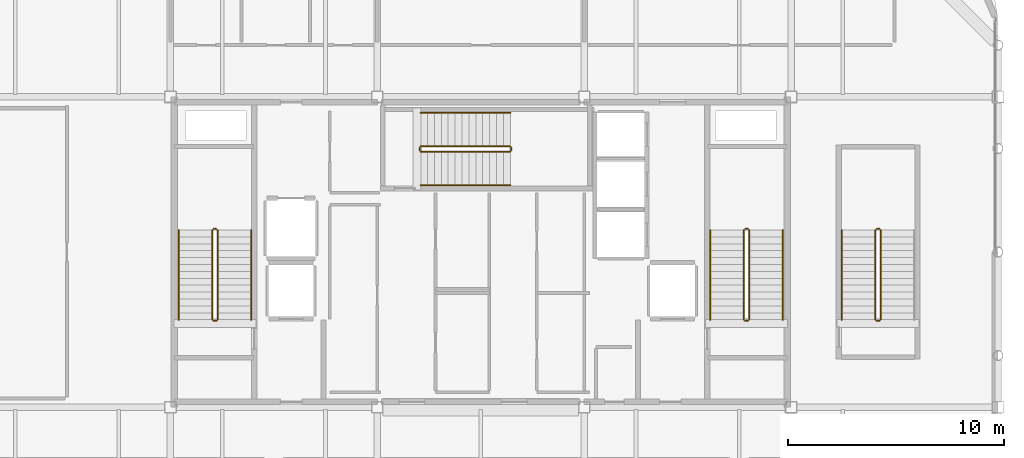
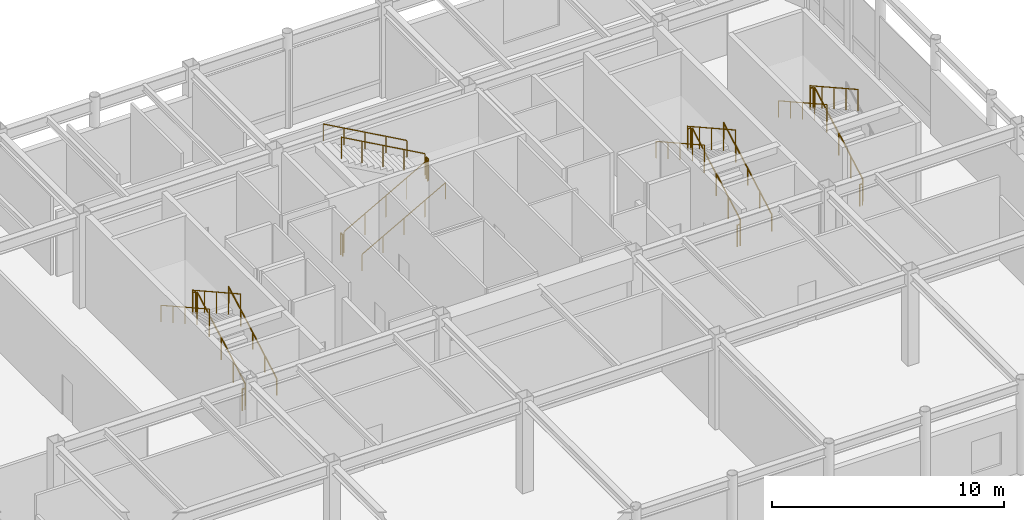
# One storey, part 20 of 21: 23 railings.
"""IFC4 building model written with IfcOpenShell, lengths in metres."""

from ifc_helpers import new_model, si_unit, direction, frame, origin, origin_2d, place, context, subcontext, project, spatial, circle, extrude, material, layer, layer_set, type_object, element, save


model = new_model("IFC4")

# Units and contexts
model_context = context("Model", 3, precision=1e-05, world=origin(), true_north=direction((0.0, 1.0)))
body_context = subcontext(model_context, "Body", "Model", "MODEL_VIEW")
ifc_project = project(units=[si_unit("LENGTHUNIT", "METRE"), si_unit("AREAUNIT", "SQUARE_METRE"), si_unit("VOLUMEUNIT", "CUBIC_METRE"), si_unit("PLANEANGLEUNIT", "RADIAN"), si_unit("MASSUNIT", "GRAM", prefix="KILO")], contexts=[model_context])

# Site, building, storey
site_placement = place(None, origin())
site = spatial("IfcSite", under=ifc_project, at=site_placement, CompositionType="ELEMENT")
building_placement = place(site_placement, origin())
building = spatial("IfcBuilding", under=site, at=building_placement, Name="Kallvorn Hotel Tower", CompositionType="ELEMENT")
storey_placement = place(building_placement, frame((0.0, 0.0, 295.60009765625)))
storey = spatial("IfcBuildingStorey", under=building, at=storey_placement, Name="L73", CompositionType="ELEMENT", Elevation=295.60009765625)

# Railings
ifc_material_1 = material(Name="Brushed stainless-steel tubular railing", Category="steel")
ifc_layer_1 = layer(ifc_material_1, 0.050048828125)
ifc_layer_set_1 = layer_set([ifc_layer_1], Name="RL_STAIR_GUARD")
railing_type_1 = type_object("IfcRailingType", Name="RL_STAIR_GUARD", PredefinedType="GUARDRAIL", material=ifc_layer_set_1)
railing_1_placement = place(storey_placement, frame((-12.2099609375, -3.139892578125, 0.178466796875)))
element("IfcRailing", 1, at=railing_1_placement, inside=storey, type_object=railing_type_1, Name="L73 ST1 stair guard 1", PredefinedType="GUARDRAIL", context=body_context, shape_type="SweptSolid", body=[
    extrude(circle(Radius=0.02392578125, at=origin_2d()), frame((0.0, 0.0, 1.1259765625), z_axis=(0.0, 0.873222553742, 0.487321630585), x_axis=(-1.0, 0.0, 0.0)), (0.0, 0.0, 1.0), 4.763916015625),
    extrude(circle(Radius=0.02099609375, at=origin_2d()), origin(), (0.0, 0.0, 1.0), 1.101806640625),
    extrude(circle(Radius=0.02099609375, at=origin_2d()), frame((0.0, 1.0400390625, 0.580322265625)), (0.0, 0.0, 1.0), 1.101806640625),
    extrude(circle(Radius=0.02099609375, at=origin_2d()), frame((0.0, 2.080078125, 1.16064453125)), (0.0, 0.0, 1.0), 1.101806640625),
    extrude(circle(Radius=0.02099609375, at=origin_2d()), frame((0.0, 3.119873046875, 1.7412109375)), (0.0, 0.0, 1.0), 1.101806640625),
    extrude(circle(Radius=0.02099609375, at=origin_2d()), frame((0.0, 4.159912109375, 2.321533203125)), (0.0, 0.0, 1.0), 1.101806640625),
])
railing_2_placement = place(storey_placement, frame((-12.260009765625, 1.070068359375, 2.5)))
element("IfcRailing", 2, at=railing_2_placement, inside=storey, type_object=railing_type_1, Name="L73 ST1 stair guard 2", PredefinedType="GUARDRAIL", context=body_context, shape_type="SweptSolid", body=[
    extrude(circle(Radius=0.02392578125, at=origin_2d()), frame((0.0, 0.0, 1.1259765625), z_axis=(-1.0, 0.0, 0.0), x_axis=(0.0, -1.0, 0.0)), (0.0, 0.0, 1.0), 0.139892578125),
    extrude(circle(Radius=0.02099609375, at=origin_2d()), origin(), (0.0, 0.0, 1.0), 1.101806640625),
    extrude(circle(Radius=0.02099609375, at=origin_2d()), frame((-0.139892578125, 0.0, 0.0)), (0.0, 0.0, 1.0), 1.101806640625),
])
railing_3_placement = place(storey_placement, frame((-12.449951171875, 1.02001953125, 2.678466796875)))
element("IfcRailing", 3, at=railing_3_placement, inside=storey, type_object=railing_type_1, Name="L73 ST1 stair guard 3", PredefinedType="GUARDRAIL", context=body_context, shape_type="SweptSolid", body=[
    extrude(circle(Radius=0.02392578125, at=origin_2d()), frame((0.0, 0.0, 1.1259765625), z_axis=(0.0, -0.873222553742, 0.487321630585), x_axis=(1.0, 0.0, 0.0)), (0.0, 0.0, 1.0), 4.763916015625),
    extrude(circle(Radius=0.02099609375, at=origin_2d()), origin(), (0.0, 0.0, 1.0), 1.101806640625),
    extrude(circle(Radius=0.02099609375, at=origin_2d()), frame((0.0, -1.0400390625, 0.580322265625)), (0.0, 0.0, 1.0), 1.101806640625),
    extrude(circle(Radius=0.02099609375, at=origin_2d()), frame((0.0, -2.080078125, 1.16064453125)), (0.0, 0.0, 1.0), 1.101806640625),
    extrude(circle(Radius=0.02099609375, at=origin_2d()), frame((0.0, -3.119873046875, 1.7412109375)), (0.0, 0.0, 1.0), 1.101806640625),
    extrude(circle(Radius=0.02099609375, at=origin_2d()), frame((0.0, -4.159912109375, 2.321533203125)), (0.0, 0.0, 1.0), 1.101806640625),
])
railing_4_placement = place(storey_placement, frame((-12.260009765625, -3.18994140625, 0.0)))
element("IfcRailing", 4, at=railing_4_placement, inside=storey, type_object=railing_type_1, Name="L73 ST1 stair guard 4", PredefinedType="GUARDRAIL", context=body_context, shape_type="SweptSolid", body=[
    extrude(circle(Radius=0.02392578125, at=origin_2d()), frame((0.0, 0.0, 1.1259765625), z_axis=(-1.0, 0.0, 0.0), x_axis=(0.0, -1.0, 0.0)), (0.0, 0.0, 1.0), 0.139892578125),
    extrude(circle(Radius=0.02099609375, at=origin_2d()), origin(), (0.0, 0.0, 1.0), 1.101806640625),
    extrude(circle(Radius=0.02099609375, at=origin_2d()), frame((-0.139892578125, 0.0, 0.0)), (0.0, 0.0, 1.0), 1.101806640625),
])
railing_5_placement = place(storey_placement, frame((12.449951171875, -3.139892578125, 0.178466796875)))
element("IfcRailing", 5, at=railing_5_placement, inside=storey, type_object=railing_type_1, Name="L73 ST2 stair guard 1", PredefinedType="GUARDRAIL", context=body_context, shape_type="SweptSolid", body=[
    extrude(circle(Radius=0.02392578125, at=origin_2d()), frame((0.0, 0.0, 1.1259765625), z_axis=(0.0, 0.873222553742, 0.487321630585), x_axis=(-1.0, 0.0, 0.0)), (0.0, 0.0, 1.0), 4.763916015625),
    extrude(circle(Radius=0.02099609375, at=origin_2d()), origin(), (0.0, 0.0, 1.0), 1.101806640625),
    extrude(circle(Radius=0.02099609375, at=origin_2d()), frame((0.0, 1.0400390625, 0.580322265625)), (0.0, 0.0, 1.0), 1.101806640625),
    extrude(circle(Radius=0.02099609375, at=origin_2d()), frame((0.0, 2.080078125, 1.16064453125)), (0.0, 0.0, 1.0), 1.101806640625),
    extrude(circle(Radius=0.02099609375, at=origin_2d()), frame((0.0, 3.119873046875, 1.7412109375)), (0.0, 0.0, 1.0), 1.101806640625),
    extrude(circle(Radius=0.02099609375, at=origin_2d()), frame((0.0, 4.159912109375, 2.321533203125)), (0.0, 0.0, 1.0), 1.101806640625),
])
railing_6_placement = place(storey_placement, frame((12.39990234375, 1.070068359375, 2.5)))
element("IfcRailing", 6, at=railing_6_placement, inside=storey, type_object=railing_type_1, Name="L73 ST2 stair guard 2", PredefinedType="GUARDRAIL", context=body_context, shape_type="SweptSolid", body=[
    extrude(circle(Radius=0.02392578125, at=origin_2d()), frame((0.0, 0.0, 1.1259765625), z_axis=(-1.0, 0.0, 0.0), x_axis=(0.0, -1.0, 0.0)), (0.0, 0.0, 1.0), 0.139892578125),
    extrude(circle(Radius=0.02099609375, at=origin_2d()), origin(), (0.0, 0.0, 1.0), 1.101806640625),
    extrude(circle(Radius=0.02099609375, at=origin_2d()), frame((-0.139892578125, 0.0, 0.0)), (0.0, 0.0, 1.0), 1.101806640625),
])
railing_7_placement = place(storey_placement, frame((12.2099609375, 1.02001953125, 2.678466796875)))
element("IfcRailing", 7, at=railing_7_placement, inside=storey, type_object=railing_type_1, Name="L73 ST2 stair guard 3", PredefinedType="GUARDRAIL", context=body_context, shape_type="SweptSolid", body=[
    extrude(circle(Radius=0.02392578125, at=origin_2d()), frame((0.0, 0.0, 1.1259765625), z_axis=(0.0, -0.873222553742, 0.487321630585), x_axis=(1.0, 0.0, 0.0)), (0.0, 0.0, 1.0), 4.763916015625),
    extrude(circle(Radius=0.02099609375, at=origin_2d()), origin(), (0.0, 0.0, 1.0), 1.101806640625),
    extrude(circle(Radius=0.02099609375, at=origin_2d()), frame((0.0, -1.0400390625, 0.580322265625)), (0.0, 0.0, 1.0), 1.101806640625),
    extrude(circle(Radius=0.02099609375, at=origin_2d()), frame((0.0, -2.080078125, 1.16064453125)), (0.0, 0.0, 1.0), 1.101806640625),
    extrude(circle(Radius=0.02099609375, at=origin_2d()), frame((0.0, -3.119873046875, 1.7412109375)), (0.0, 0.0, 1.0), 1.101806640625),
    extrude(circle(Radius=0.02099609375, at=origin_2d()), frame((0.0, -4.159912109375, 2.321533203125)), (0.0, 0.0, 1.0), 1.101806640625),
])
railing_8_placement = place(storey_placement, frame((12.39990234375, -3.18994140625, 0.0)))
element("IfcRailing", 8, at=railing_8_placement, inside=storey, type_object=railing_type_1, Name="L73 ST2 stair guard 4", PredefinedType="GUARDRAIL", context=body_context, shape_type="SweptSolid", body=[
    extrude(circle(Radius=0.02392578125, at=origin_2d()), frame((0.0, 0.0, 1.1259765625), z_axis=(-1.0, 0.0, 0.0), x_axis=(0.0, -1.0, 0.0)), (0.0, 0.0, 1.0), 0.139892578125),
    extrude(circle(Radius=0.02099609375, at=origin_2d()), origin(), (0.0, 0.0, 1.0), 1.101806640625),
    extrude(circle(Radius=0.02099609375, at=origin_2d()), frame((-0.139892578125, 0.0, 0.0)), (0.0, 0.0, 1.0), 1.101806640625),
])
railing_9_placement = place(storey_placement, frame((-2.7900390625, 4.659912109375, 0.178466796875)))
element("IfcRailing", 9, at=railing_9_placement, inside=storey, type_object=railing_type_1, Name="L73 ST3 stair guard 1", PredefinedType="GUARDRAIL", context=body_context, shape_type="SweptSolid", body=[
    extrude(circle(Radius=0.02392578125, at=origin_2d()), frame((0.0, 0.0, 1.1259765625), z_axis=(0.873234723532, 0.0, 0.487299823126), x_axis=(0.0, 1.0, 0.0)), (0.0, 0.0, 1.0), 4.76416015625),
    extrude(circle(Radius=0.02099609375, at=origin_2d()), origin(), (0.0, 0.0, 1.0), 1.101806640625),
    extrude(circle(Radius=0.02099609375, at=origin_2d()), frame((1.0400390625, 0.0, 0.580322265625)), (0.0, 0.0, 1.0), 1.101806640625),
    extrude(circle(Radius=0.02099609375, at=origin_2d()), frame((2.080078125, 0.0, 1.16064453125)), (0.0, 0.0, 1.0), 1.101806640625),
    extrude(circle(Radius=0.02099609375, at=origin_2d()), frame((3.1201171875, 0.0, 1.7412109375)), (0.0, 0.0, 1.0), 1.101806640625),
    extrude(circle(Radius=0.02099609375, at=origin_2d()), frame((4.16015625, 0.0, 2.321533203125)), (0.0, 0.0, 1.0), 1.101806640625),
])
railing_10_placement = place(storey_placement, frame((1.419921875, 4.7099609375, 2.5)))
element("IfcRailing", 10, at=railing_10_placement, inside=storey, type_object=railing_type_1, Name="L73 ST3 stair guard 2", PredefinedType="GUARDRAIL", context=body_context, shape_type="SweptSolid", body=[
    extrude(circle(Radius=0.02392578125, at=origin_2d()), frame((0.0, 0.0, 1.1259765625), z_axis=(0.0, 1.0, 0.0), x_axis=(-1.0, 0.0, 0.0)), (0.0, 0.0, 1.0), 0.14013671875),
    extrude(circle(Radius=0.02099609375, at=origin_2d()), origin(), (0.0, 0.0, 1.0), 1.101806640625),
    extrude(circle(Radius=0.02099609375, at=origin_2d()), frame((0.0, 0.14013671875, 0.0)), (0.0, 0.0, 1.0), 1.101806640625),
])
railing_11_placement = place(storey_placement, frame((1.3701171875, 4.89990234375, 2.678466796875)))
element("IfcRailing", 11, at=railing_11_placement, inside=storey, type_object=railing_type_1, Name="L73 ST3 stair guard 3", PredefinedType="GUARDRAIL", context=body_context, shape_type="SweptSolid", body=[
    extrude(circle(Radius=0.02392578125, at=origin_2d()), frame((0.0, 0.0, 1.1259765625), z_axis=(-0.873234723532, 0.0, 0.487299823126), x_axis=(0.0, -1.0, 0.0)), (0.0, 0.0, 1.0), 4.76416015625),
    extrude(circle(Radius=0.02099609375, at=origin_2d()), origin(), (0.0, 0.0, 1.0), 1.101806640625),
    extrude(circle(Radius=0.02099609375, at=origin_2d()), frame((-1.0400390625, 0.0, 0.580322265625)), (0.0, 0.0, 1.0), 1.101806640625),
    extrude(circle(Radius=0.02099609375, at=origin_2d()), frame((-2.080078125, 0.0, 1.16064453125)), (0.0, 0.0, 1.0), 1.101806640625),
    extrude(circle(Radius=0.02099609375, at=origin_2d()), frame((-3.1201171875, 0.0, 1.7412109375)), (0.0, 0.0, 1.0), 1.101806640625),
    extrude(circle(Radius=0.02099609375, at=origin_2d()), frame((-4.16015625, 0.0, 2.321533203125)), (0.0, 0.0, 1.0), 1.101806640625),
])
railing_12_placement = place(storey_placement, frame((-2.840087890625, 4.7099609375, 0.0)))
element("IfcRailing", 12, at=railing_12_placement, inside=storey, type_object=railing_type_1, Name="L73 ST3 stair guard 4", PredefinedType="GUARDRAIL", context=body_context, shape_type="SweptSolid", body=[
    extrude(circle(Radius=0.02392578125, at=origin_2d()), frame((0.0, 0.0, 1.1259765625), z_axis=(0.0, 1.0, 0.0), x_axis=(-1.0, 0.0, 0.0)), (0.0, 0.0, 1.0), 0.14013671875),
    extrude(circle(Radius=0.02099609375, at=origin_2d()), origin(), (0.0, 0.0, 1.0), 1.101806640625),
    extrude(circle(Radius=0.02099609375, at=origin_2d()), frame((0.0, 0.14013671875, 0.0)), (0.0, 0.0, 1.0), 1.101806640625),
])
railing_13_placement = place(storey_placement, frame((18.550048828125, -3.139892578125, 0.178466796875)))
element("IfcRailing", 13, at=railing_13_placement, inside=storey, type_object=railing_type_1, Name="L73 ST4 stair guard 1", PredefinedType="GUARDRAIL", context=body_context, shape_type="SweptSolid", body=[
    extrude(circle(Radius=0.02392578125, at=origin_2d()), frame((0.0, 0.0, 1.1259765625), z_axis=(0.0, 0.873222553742, 0.487321630585), x_axis=(-1.0, 0.0, 0.0)), (0.0, 0.0, 1.0), 4.763916015625),
    extrude(circle(Radius=0.02099609375, at=origin_2d()), origin(), (0.0, 0.0, 1.0), 1.101806640625),
    extrude(circle(Radius=0.02099609375, at=origin_2d()), frame((0.0, 1.0400390625, 0.580322265625)), (0.0, 0.0, 1.0), 1.101806640625),
    extrude(circle(Radius=0.02099609375, at=origin_2d()), frame((0.0, 2.080078125, 1.16064453125)), (0.0, 0.0, 1.0), 1.101806640625),
    extrude(circle(Radius=0.02099609375, at=origin_2d()), frame((0.0, 3.119873046875, 1.7412109375)), (0.0, 0.0, 1.0), 1.101806640625),
    extrude(circle(Radius=0.02099609375, at=origin_2d()), frame((0.0, 4.159912109375, 2.321533203125)), (0.0, 0.0, 1.0), 1.101806640625),
])
railing_14_placement = place(storey_placement, frame((18.5, 1.070068359375, 2.5)))
element("IfcRailing", 14, at=railing_14_placement, inside=storey, type_object=railing_type_1, Name="L73 ST4 stair guard 2", PredefinedType="GUARDRAIL", context=body_context, shape_type="SweptSolid", body=[
    extrude(circle(Radius=0.02392578125, at=origin_2d()), frame((0.0, 0.0, 1.1259765625), z_axis=(-1.0, 0.0, 0.0), x_axis=(0.0, -1.0, 0.0)), (0.0, 0.0, 1.0), 0.139892578125),
    extrude(circle(Radius=0.02099609375, at=origin_2d()), origin(), (0.0, 0.0, 1.0), 1.101806640625),
    extrude(circle(Radius=0.02099609375, at=origin_2d()), frame((-0.139892578125, 0.0, 0.0)), (0.0, 0.0, 1.0), 1.101806640625),
])
railing_15_placement = place(storey_placement, frame((18.31005859375, 1.02001953125, 2.678466796875)))
element("IfcRailing", 15, at=railing_15_placement, inside=storey, type_object=railing_type_1, Name="L73 ST4 stair guard 3", PredefinedType="GUARDRAIL", context=body_context, shape_type="SweptSolid", body=[
    extrude(circle(Radius=0.02392578125, at=origin_2d()), frame((0.0, 0.0, 1.1259765625), z_axis=(0.0, -0.873222553742, 0.487321630585), x_axis=(1.0, 0.0, 0.0)), (0.0, 0.0, 1.0), 4.763916015625),
    extrude(circle(Radius=0.02099609375, at=origin_2d()), origin(), (0.0, 0.0, 1.0), 1.101806640625),
    extrude(circle(Radius=0.02099609375, at=origin_2d()), frame((0.0, -1.0400390625, 0.580322265625)), (0.0, 0.0, 1.0), 1.101806640625),
    extrude(circle(Radius=0.02099609375, at=origin_2d()), frame((0.0, -2.080078125, 1.16064453125)), (0.0, 0.0, 1.0), 1.101806640625),
    extrude(circle(Radius=0.02099609375, at=origin_2d()), frame((0.0, -3.119873046875, 1.7412109375)), (0.0, 0.0, 1.0), 1.101806640625),
    extrude(circle(Radius=0.02099609375, at=origin_2d()), frame((0.0, -4.159912109375, 2.321533203125)), (0.0, 0.0, 1.0), 1.101806640625),
])
railing_16_placement = place(storey_placement, frame((18.5, -3.18994140625, 0.0)))
element("IfcRailing", 16, at=railing_16_placement, inside=storey, type_object=railing_type_1, Name="L73 ST4 stair guard 4", PredefinedType="GUARDRAIL", context=body_context, shape_type="SweptSolid", body=[
    extrude(circle(Radius=0.02392578125, at=origin_2d()), frame((0.0, 0.0, 1.1259765625), z_axis=(-1.0, 0.0, 0.0), x_axis=(0.0, -1.0, 0.0)), (0.0, 0.0, 1.0), 0.139892578125),
    extrude(circle(Radius=0.02099609375, at=origin_2d()), origin(), (0.0, 0.0, 1.0), 1.101806640625),
    extrude(circle(Radius=0.02099609375, at=origin_2d()), frame((-0.139892578125, 0.0, 0.0)), (0.0, 0.0, 1.0), 1.101806640625),
])
ifc_material_2 = material(Name="Brushed stainless-steel tubular railing", Category="steel")
ifc_layer_2 = layer(ifc_material_2, 0.050048828125)
ifc_layer_set_2 = layer_set([ifc_layer_2], Name="RL_STAIR_HAND")
railing_type_2 = type_object("IfcRailingType", Name="RL_STAIR_HAND", PredefinedType="HANDRAIL", material=ifc_layer_set_2)
railing_17_placement = place(storey_placement, frame((-10.64990234375, -3.139892578125, 0.178466796875)))
element("IfcRailing", 17, at=railing_17_placement, inside=storey, type_object=railing_type_2, Name="L73 ST1 stair handrail 1", PredefinedType="HANDRAIL", context=body_context, shape_type="SweptSolid", body=[
    extrude(circle(Radius=0.02392578125, at=origin_2d()), frame((0.0, 0.0, 0.8759765625), z_axis=(0.0, 0.873222553742, 0.487321630585), x_axis=(-1.0, 0.0, 0.0)), (0.0, 0.0, 1.0), 4.763916015625),
    extrude(circle(Radius=0.02099609375, at=origin_2d()), origin(), (0.0, 0.0, 1.0), 0.851806640625),
    extrude(circle(Radius=0.02099609375, at=origin_2d()), frame((0.0, 1.0400390625, 0.580322265625)), (0.0, 0.0, 1.0), 0.851806640625),
    extrude(circle(Radius=0.02099609375, at=origin_2d()), frame((0.0, 2.080078125, 1.16064453125)), (0.0, 0.0, 1.0), 0.851806640625),
    extrude(circle(Radius=0.02099609375, at=origin_2d()), frame((0.0, 3.119873046875, 1.7412109375)), (0.0, 0.0, 1.0), 0.851806640625),
    extrude(circle(Radius=0.02099609375, at=origin_2d()), frame((0.0, 4.159912109375, 2.321533203125)), (0.0, 0.0, 1.0), 0.851806640625),
])
railing_18_placement = place(storey_placement, frame((-14.010009765625, 1.02001953125, 2.678466796875)))
element("IfcRailing", 18, at=railing_18_placement, inside=storey, type_object=railing_type_2, Name="L73 ST1 stair handrail 2", PredefinedType="HANDRAIL", context=body_context, shape_type="SweptSolid", body=[
    extrude(circle(Radius=0.02392578125, at=origin_2d()), frame((0.0, 0.0, 0.8759765625), z_axis=(0.0, -0.873222553742, 0.487321630585), x_axis=(1.0, 0.0, 0.0)), (0.0, 0.0, 1.0), 4.763916015625),
    extrude(circle(Radius=0.02099609375, at=origin_2d()), origin(), (0.0, 0.0, 1.0), 0.851806640625),
    extrude(circle(Radius=0.02099609375, at=origin_2d()), frame((0.0, -1.0400390625, 0.580322265625)), (0.0, 0.0, 1.0), 0.851806640625),
    extrude(circle(Radius=0.02099609375, at=origin_2d()), frame((0.0, -2.080078125, 1.16064453125)), (0.0, 0.0, 1.0), 0.851806640625),
    extrude(circle(Radius=0.02099609375, at=origin_2d()), frame((0.0, -3.119873046875, 1.7412109375)), (0.0, 0.0, 1.0), 0.851806640625),
    extrude(circle(Radius=0.02099609375, at=origin_2d()), frame((0.0, -4.159912109375, 2.321533203125)), (0.0, 0.0, 1.0), 0.851806640625),
])
railing_19_placement = place(storey_placement, frame((14.010009765625, -3.139892578125, 0.178466796875)))
element("IfcRailing", 19, at=railing_19_placement, inside=storey, type_object=railing_type_2, Name="L73 ST2 stair handrail 1", PredefinedType="HANDRAIL", context=body_context, shape_type="SweptSolid", body=[
    extrude(circle(Radius=0.02392578125, at=origin_2d()), frame((0.0, 0.0, 0.8759765625), z_axis=(0.0, 0.873222553742, 0.487321630585), x_axis=(-1.0, 0.0, 0.0)), (0.0, 0.0, 1.0), 4.763916015625),
    extrude(circle(Radius=0.02099609375, at=origin_2d()), origin(), (0.0, 0.0, 1.0), 0.851806640625),
    extrude(circle(Radius=0.02099609375, at=origin_2d()), frame((0.0, 1.0400390625, 0.580322265625)), (0.0, 0.0, 1.0), 0.851806640625),
    extrude(circle(Radius=0.02099609375, at=origin_2d()), frame((0.0, 2.080078125, 1.16064453125)), (0.0, 0.0, 1.0), 0.851806640625),
    extrude(circle(Radius=0.02099609375, at=origin_2d()), frame((0.0, 3.119873046875, 1.7412109375)), (0.0, 0.0, 1.0), 0.851806640625),
    extrude(circle(Radius=0.02099609375, at=origin_2d()), frame((0.0, 4.159912109375, 2.321533203125)), (0.0, 0.0, 1.0), 0.851806640625),
])
railing_20_placement = place(storey_placement, frame((10.64990234375, 1.02001953125, 2.678466796875)))
element("IfcRailing", 20, at=railing_20_placement, inside=storey, type_object=railing_type_2, Name="L73 ST2 stair handrail 2", PredefinedType="HANDRAIL", context=body_context, shape_type="SweptSolid", body=[
    extrude(circle(Radius=0.02392578125, at=origin_2d()), frame((0.0, 0.0, 0.8759765625), z_axis=(0.0, -0.873222553742, 0.487321630585), x_axis=(1.0, 0.0, 0.0)), (0.0, 0.0, 1.0), 4.763916015625),
    extrude(circle(Radius=0.02099609375, at=origin_2d()), origin(), (0.0, 0.0, 1.0), 0.851806640625),
    extrude(circle(Radius=0.02099609375, at=origin_2d()), frame((0.0, -1.0400390625, 0.580322265625)), (0.0, 0.0, 1.0), 0.851806640625),
    extrude(circle(Radius=0.02099609375, at=origin_2d()), frame((0.0, -2.080078125, 1.16064453125)), (0.0, 0.0, 1.0), 0.851806640625),
    extrude(circle(Radius=0.02099609375, at=origin_2d()), frame((0.0, -3.119873046875, 1.7412109375)), (0.0, 0.0, 1.0), 0.851806640625),
    extrude(circle(Radius=0.02099609375, at=origin_2d()), frame((0.0, -4.159912109375, 2.321533203125)), (0.0, 0.0, 1.0), 0.851806640625),
])
railing_21_placement = place(storey_placement, frame((-2.7900390625, 3.10009765625, 0.178466796875)))
element("IfcRailing", 21, at=railing_21_placement, inside=storey, type_object=railing_type_2, Name="L73 ST3 stair handrail 1", PredefinedType="HANDRAIL", context=body_context, shape_type="SweptSolid", body=[
    extrude(circle(Radius=0.02392578125, at=origin_2d()), frame((0.0, 0.0, 0.8759765625), z_axis=(0.873234723532, 0.0, 0.487299823126), x_axis=(0.0, 1.0, 0.0)), (0.0, 0.0, 1.0), 4.76416015625),
    extrude(circle(Radius=0.02099609375, at=origin_2d()), origin(), (0.0, 0.0, 1.0), 0.851806640625),
    extrude(circle(Radius=0.02099609375, at=origin_2d()), frame((1.0400390625, 0.0, 0.580322265625)), (0.0, 0.0, 1.0), 0.851806640625),
    extrude(circle(Radius=0.02099609375, at=origin_2d()), frame((2.080078125, 0.0, 1.16064453125)), (0.0, 0.0, 1.0), 0.851806640625),
    extrude(circle(Radius=0.02099609375, at=origin_2d()), frame((3.1201171875, 0.0, 1.7412109375)), (0.0, 0.0, 1.0), 0.851806640625),
    extrude(circle(Radius=0.02099609375, at=origin_2d()), frame((4.16015625, 0.0, 2.321533203125)), (0.0, 0.0, 1.0), 0.851806640625),
])
railing_22_placement = place(storey_placement, frame((1.3701171875, 6.4599609375, 2.678466796875)))
element("IfcRailing", 22, at=railing_22_placement, inside=storey, type_object=railing_type_2, Name="L73 ST3 stair handrail 2", PredefinedType="HANDRAIL", context=body_context, shape_type="SweptSolid", body=[
    extrude(circle(Radius=0.02392578125, at=origin_2d()), frame((0.0, 0.0, 0.8759765625), z_axis=(-0.873234723532, 0.0, 0.487299823126), x_axis=(0.0, -1.0, 0.0)), (0.0, 0.0, 1.0), 4.76416015625),
    extrude(circle(Radius=0.02099609375, at=origin_2d()), origin(), (0.0, 0.0, 1.0), 0.851806640625),
    extrude(circle(Radius=0.02099609375, at=origin_2d()), frame((-1.0400390625, 0.0, 0.580322265625)), (0.0, 0.0, 1.0), 0.851806640625),
    extrude(circle(Radius=0.02099609375, at=origin_2d()), frame((-2.080078125, 0.0, 1.16064453125)), (0.0, 0.0, 1.0), 0.851806640625),
    extrude(circle(Radius=0.02099609375, at=origin_2d()), frame((-3.1201171875, 0.0, 1.7412109375)), (0.0, 0.0, 1.0), 0.851806640625),
    extrude(circle(Radius=0.02099609375, at=origin_2d()), frame((-4.16015625, 0.0, 2.321533203125)), (0.0, 0.0, 1.0), 0.851806640625),
])
railing_23_placement = place(storey_placement, frame((16.75, 1.02001953125, 2.678466796875)))
element("IfcRailing", 23, at=railing_23_placement, inside=storey, type_object=railing_type_2, Name="L73 ST4 stair handrail 2", PredefinedType="HANDRAIL", context=body_context, shape_type="SweptSolid", body=[
    extrude(circle(Radius=0.02392578125, at=origin_2d()), frame((0.0, 0.0, 0.8759765625), z_axis=(0.0, -0.873222553742, 0.487321630585), x_axis=(1.0, 0.0, 0.0)), (0.0, 0.0, 1.0), 4.763916015625),
    extrude(circle(Radius=0.02099609375, at=origin_2d()), origin(), (0.0, 0.0, 1.0), 0.851806640625),
    extrude(circle(Radius=0.02099609375, at=origin_2d()), frame((0.0, -1.0400390625, 0.580322265625)), (0.0, 0.0, 1.0), 0.851806640625),
    extrude(circle(Radius=0.02099609375, at=origin_2d()), frame((0.0, -2.080078125, 1.16064453125)), (0.0, 0.0, 1.0), 0.851806640625),
    extrude(circle(Radius=0.02099609375, at=origin_2d()), frame((0.0, -3.119873046875, 1.7412109375)), (0.0, 0.0, 1.0), 0.851806640625),
    extrude(circle(Radius=0.02099609375, at=origin_2d()), frame((0.0, -4.159912109375, 2.321533203125)), (0.0, 0.0, 1.0), 0.851806640625),
])

save(model, "model.ifc")
